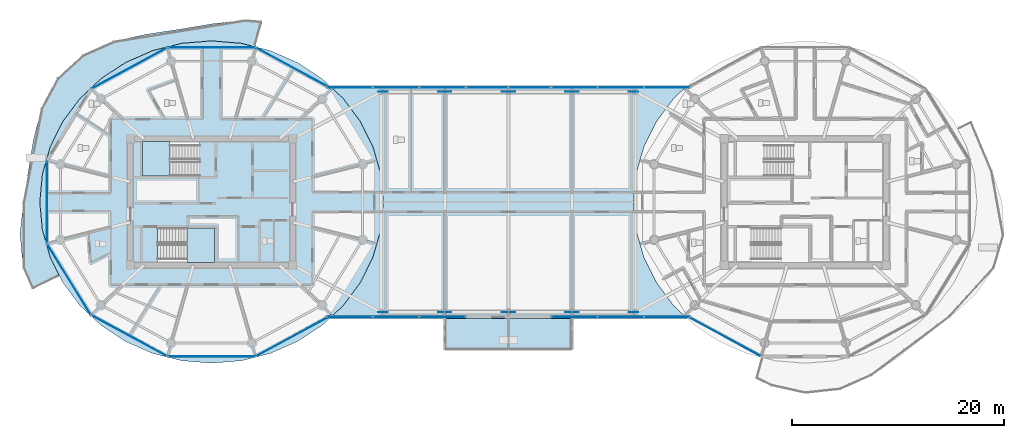
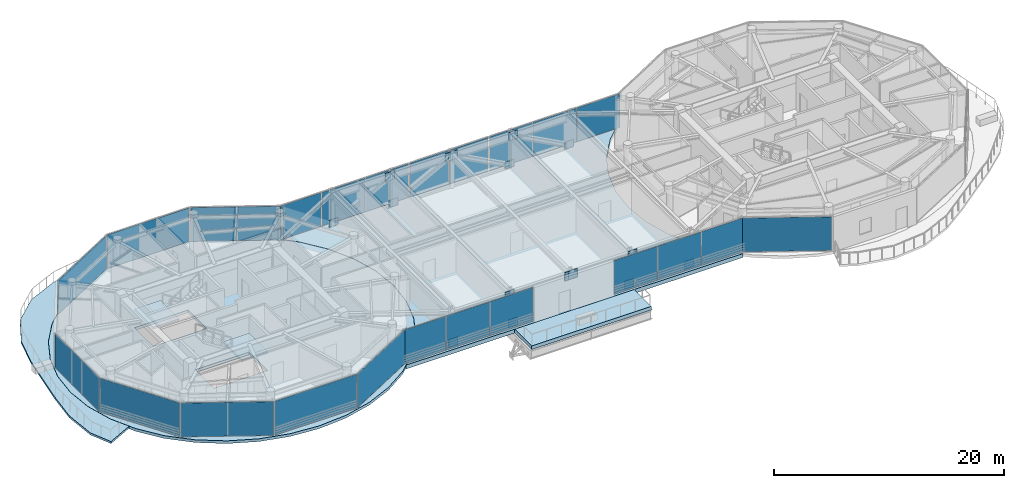
# One storey, part 11 of 31: 39 plates, 6 slabs, 16 elements without a shape of their own.
"""IFC4 building model written with IfcOpenShell, lengths in metres."""

import ifcopenshell
import ifcopenshell.guid

model = None  # the IFC model being written
_history = None  # IfcOwnerHistory: only IFC2X3 demands one
_inside = {}  # id of a spatial element -> (the spatial element, [elements in it])
_under = {}  # id of a project, library or spatial element -> (it, [spatial elements below it])
_declared = {}  # id of a project -> (the project, [libraries it declares])
_typed = {}  # id of a type object -> (the type object, [elements of that type])
_made_of = {}  # id of a material, layer set ... -> (it, [elements and type objects made of it])


def new_model(schema):
    """Start an empty IFC model of exactly this schema.

    Asked for "IFC4X3", IfcOpenShell would pick the latest addendum, in which some entities
    have other attributes; the version numbers below select the first issue.
    IFC2X3 requires an IfcOwnerHistory on every rooted entity: one is made here for all.
    """
    global model, _history
    if schema == "IFC4X3":
        model = ifcopenshell.file(schema_version=(4, 3, 0, 0))
    else:
        model = ifcopenshell.file(schema=schema)
    _inside.clear()
    _under.clear()
    _declared.clear()
    _typed.clear()
    _made_of.clear()
    _history = None
    if model.schema == "IFC2X3":
        org = make("IfcOrganization", Name="unknown")
        user = make(
            "IfcPersonAndOrganization",
            ThePerson=make("IfcPerson", FamilyName="unknown"),
            TheOrganization=org,
        )
        app = make(
            "IfcApplication",
            ApplicationDeveloper=org,
            Version="unknown",
            ApplicationFullName="unknown",
            ApplicationIdentifier="unknown",
        )
        _history = make(
            "IfcOwnerHistory",
            OwningUser=user,
            OwningApplication=app,
            ChangeAction="ADDED",
            CreationDate=0,
        )
    return model


def make(cls, **values):
    """One entity of the class cls with the attributes given. An attribute that is None is left unset."""
    return model.create_entity(
        cls, **{name: value for name, value in values.items() if value is not None}
    )


def rooted(cls, **values):
    """An entity with a GlobalId (a new one), such as an element, a storey or a relation."""
    return make(cls, GlobalId=ifcopenshell.guid.new(), OwnerHistory=_history, **values)


def si_unit(unit_type, name, prefix=None):
    """IfcSIUnit, for example si_unit("LENGTHUNIT", "METRE", prefix="MILLI")."""
    return make("IfcSIUnit", UnitType=unit_type, Prefix=prefix, Name=name)


def assignment(units):
    """IfcUnitAssignment: the units of a project."""
    return None if units is None else make("IfcUnitAssignment", Units=units)


def point(xyz):
    """IfcCartesianPoint."""
    return None if xyz is None else make("IfcCartesianPoint", Coordinates=xyz)


def direction(xyz):
    """IfcDirection."""
    return None if xyz is None else make("IfcDirection", DirectionRatios=xyz)


def frame(location, z_axis=None, x_axis=None):
    """IfcAxis2Placement3D, a coordinate frame: its origin and axes. An axis left out is left unset."""
    return make(
        "IfcAxis2Placement3D",
        Location=point(location),
        Axis=direction(z_axis),
        RefDirection=direction(x_axis),
    )


def frame_2d(location, x_axis=None):
    """IfcAxis2Placement2D, a coordinate frame in the plane: its origin and x axis."""
    return make(
        "IfcAxis2Placement2D", Location=point(location), RefDirection=direction(x_axis)
    )


def origin():
    """The frame at (0, 0, 0) with its axes left unset."""
    return frame((0.0, 0.0, 0.0))


def origin_2d():
    """The frame at (0, 0) in the plane with its x axis left unset."""
    return frame_2d((0.0, 0.0))


def place(relative_to, where):
    """IfcLocalPlacement: puts the frame where relative to a parent placement (None: the world)."""
    return make(
        "IfcLocalPlacement", PlacementRelTo=relative_to, RelativePlacement=where
    )


def context(
    kind, dimensions, precision=None, world=None, true_north=None, identifier=None
):
    """IfcGeometricRepresentationContext, for example the 3D "Model" context."""
    return make(
        "IfcGeometricRepresentationContext",
        ContextIdentifier=identifier,
        ContextType=kind,
        CoordinateSpaceDimension=dimensions,
        Precision=precision,
        WorldCoordinateSystem=world,
        TrueNorth=true_north,
    )


def subcontext(parent, identifier, kind, view, scale=None):
    """IfcGeometricRepresentationSubContext, for example "Body" below "Model"."""
    return make(
        "IfcGeometricRepresentationSubContext",
        ContextIdentifier=identifier,
        ContextType=kind,
        ParentContext=parent,
        TargetScale=scale,
        TargetView=view,
    )


def project(units=None, contexts=None):
    """IfcProject with its units and contexts."""
    return rooted(
        "IfcProject",
        Name="project",
        RepresentationContexts=contexts,
        UnitsInContext=assignment(units),
    )


def spatial(cls, under=None, at=None, **own):
    """A site, building, storey or space (cls), placed at a placement, below another one or the project."""
    s = rooted(cls, ObjectPlacement=at, **own)
    if under is not None:
        _under.setdefault(under.id(), (under, []))[1].append(s)
    return s


def polyline(points):
    """IfcPolyline through the points."""
    return make("IfcPolyline", Points=[point(p) for p in points])


def profile(cls, at=None, kind="AREA", **sizes):
    """A parametric profile (cls). Its sizes go by their IFC names, for example OverallWidth=200.0."""
    return make(cls, ProfileType=kind, Position=at, **sizes)


def rectangle(**sizes):
    """IfcRectangleProfileDef."""
    return profile("IfcRectangleProfileDef", **sizes)


def outline(outer, holes=None, kind="AREA"):
    """IfcArbitraryClosedProfileDef: a profile drawn as a closed curve; with holes, ...WithVoids."""
    if holes is None:
        return make("IfcArbitraryClosedProfileDef", ProfileType=kind, OuterCurve=outer)
    return make(
        "IfcArbitraryProfileDefWithVoids",
        ProfileType=kind,
        OuterCurve=outer,
        InnerCurves=holes,
    )


def extrude(swept, where, along, depth):
    """IfcExtrudedAreaSolid: the profile swept, set in the frame where, extruded along a direction by depth."""
    return make(
        "IfcExtrudedAreaSolid",
        SweptArea=swept,
        Position=where,
        ExtrudedDirection=direction(along),
        Depth=depth,
    )


def shape(context_of_items, identifier, shape_type, items):
    """IfcShapeRepresentation: the items that make up one representation, for example the "Body"."""
    return make(
        "IfcShapeRepresentation",
        ContextOfItems=context_of_items,
        RepresentationIdentifier=identifier,
        RepresentationType=shape_type,
        Items=items,
    )


def source(mapping_origin, context_of_items, identifier, shape_type, items):
    """IfcRepresentationMap: a shape defined once, which mapped items show again and again."""
    return make(
        "IfcRepresentationMap",
        MappingOrigin=mapping_origin,
        MappedRepresentation=shape(context_of_items, identifier, shape_type, items),
    )


def transform(
    local_origin,
    x_axis=None,
    y_axis=None,
    z_axis=None,
    scale=None,
    scale2=None,
    scale3=None,
    uniform=True,
):
    """IfcCartesianTransformationOperator3D, or its non-uniform kind. x_axis, y_axis, z_axis: its Axis1, 2, 3."""
    if uniform:
        return make(
            "IfcCartesianTransformationOperator3D",
            Axis1=direction(x_axis),
            Axis2=direction(y_axis),
            LocalOrigin=point(local_origin),
            Scale=scale,
            Axis3=direction(z_axis),
        )
    return make(
        "IfcCartesianTransformationOperator3DnonUniform",
        Axis1=direction(x_axis),
        Axis2=direction(y_axis),
        LocalOrigin=point(local_origin),
        Scale=scale,
        Axis3=direction(z_axis),
        Scale2=scale2,
        Scale3=scale3,
    )


def mapped(mapping_source, mapping_target):
    """IfcMappedItem: shows the shape of a source again, moved by a transform."""
    return make(
        "IfcMappedItem", MappingSource=mapping_source, MappingTarget=mapping_target
    )


def material(Name=None, Category=None):
    """IfcMaterial."""
    return make("IfcMaterial", Name=Name, Category=Category)


def layer(
    of_material, thickness, ventilated=None, Name=None, Category=None, Priority=None
):
    """IfcMaterialLayer: one layer of a wall or slab, of a material (None: an air gap)."""
    return make(
        "IfcMaterialLayer",
        Material=of_material,
        LayerThickness=thickness,
        IsVentilated=ventilated,
        Name=Name,
        Category=Category,
        Priority=Priority,
    )


def layer_set(layers, Name=None):
    """IfcMaterialLayerSet."""
    return make("IfcMaterialLayerSet", MaterialLayers=layers, LayerSetName=Name)


def made_of(thing, what):
    """Note that an element or type object is made of a material, layer set ...; save() writes the relation."""
    if what is not None:
        _made_of.setdefault(what.id(), (what, []))[1].append(thing)
    return thing


def type_object(cls, material=None, **own):
    """A type object (cls), such as IfcWallType, which elements share."""
    return made_of(rooted(cls, **own), material)


def type_shapes(of_type, sources):
    """Give a type object the sources (RepresentationMaps) that its elements show as mapped items."""
    of_type.RepresentationMaps = sources


def element(
    cls,
    number,
    at=None,
    inside=None,
    cuts=None,
    type_object=None,
    material=None,
    context=None,
    identifier="Body",
    shape_type=None,
    held_by="IfcProductDefinitionShape",
    body=None,
    shapes=None,
    **own,
):
    """One element of the class cls, such as IfcWall. Its Tag is "e" and its number.

    at: its placement. inside: the storey or other place that contains it. cuts: it is an
    opening in that element (IfcRelVoidsElement). A single representation is given by context,
    identifier, shape_type and body (its items); several are given by shapes. held_by: the class
    of the entity that holds the representations. save() writes the other relations.
    """
    e = rooted(cls, Tag="e%d" % number, ObjectPlacement=at, **own)
    if body is not None:
        shapes = [shape(context, identifier, shape_type, body)]
    if shapes is not None:
        e.Representation = make(held_by, Representations=shapes)
    if inside is not None:
        _inside.setdefault(inside.id(), (inside, []))[1].append(e)
    if cuts is not None:
        rooted(
            "IfcRelVoidsElement", RelatingBuildingElement=cuts, RelatedOpeningElement=e
        )
    if type_object is not None:
        _typed.setdefault(type_object.id(), (type_object, []))[1].append(e)
    return made_of(e, material)


def aggregate(whole, parts):
    """IfcRelAggregates: a whole, such as a stair, and the parts it consists of."""
    return rooted("IfcRelAggregates", RelatingObject=whole, RelatedObjects=parts)


def save(model, path):
    """Write the relations noted so far, then the file.

    IfcRelAggregates (storeys below a building ...), IfcRelContainedInSpatialStructure (elements
    in a storey), IfcRelDefinesByType, IfcRelAssociatesMaterial and IfcRelDeclares: one each for
    every whole, place, type object, material and project.
    """
    for whole, parts in _under.values():
        aggregate(whole, parts)
    for where, things in _inside.values():
        rooted(
            "IfcRelContainedInSpatialStructure",
            RelatedElements=things,
            RelatingStructure=where,
        )
    for kind, things in _typed.values():
        rooted("IfcRelDefinesByType", RelatedObjects=things, RelatingType=kind)
    for what, things in _made_of.values():
        rooted("IfcRelAssociatesMaterial", RelatedObjects=things, RelatingMaterial=what)
    for by, libraries in _declared.values():
        rooted("IfcRelDeclares", RelatingContext=by, RelatedDefinitions=libraries)
    model.write(path)


model = new_model("IFC4")

# Units and contexts
model_context = context("Model", 3, precision=1e-05, world=origin(), true_north=direction((0.0, 1.0)))
body_context = subcontext(model_context, "Body", "Model", "MODEL_VIEW")
ifc_project = project(units=[si_unit("LENGTHUNIT", "METRE"), si_unit("AREAUNIT", "SQUARE_METRE"), si_unit("VOLUMEUNIT", "CUBIC_METRE"), si_unit("PLANEANGLEUNIT", "RADIAN"), si_unit("MASSUNIT", "GRAM", prefix="KILO")], contexts=[model_context])

# Site, building, storey
site_placement = place(None, origin())
site = spatial("IfcSite", under=ifc_project, at=site_placement, CompositionType="ELEMENT")
building_placement = place(site_placement, origin())
building = spatial("IfcBuilding", under=site, at=building_placement, Name="Norrkilde Senior Care Towers", CompositionType="ELEMENT")
storey_placement = place(building_placement, frame((0.0, 0.0, 199.800048828125)))
storey = spatial("IfcBuildingStorey", under=building, at=storey_placement, Name="L62", CompositionType="ELEMENT", Elevation=199.800048828125)

# Slabs
ifc_material_1 = material(Name="Concrete C50/60", Category="concrete")
ifc_layer_1 = layer(ifc_material_1, 0.2900390625)
ifc_layer_set_1 = layer_set([ifc_layer_1], Name="Concrete C50/60")
slab_type_1 = type_object("IfcSlabType", Name="Bridge Floor Slab 290", PredefinedType="FLOOR", material=ifc_layer_set_1)
slab_1_placement = place(storey_placement, frame((0.0, 0.0, -0.2900390625)))
element("IfcSlab", 1, at=slab_1_placement, inside=storey, type_object=slab_type_1, Name="L62 Drum W Structural Floor Slab", PredefinedType="FLOOR", context=body_context, shape_type="SweptSolid", body=[
    extrude(outline(polyline([(-12.777099609375, -5.19873046875), (-13.970458984375, -7.60009765625), (-15.590087890625, -9.770263671875), (-17.5869140625, -11.643798828125), (-19.89990234375, -13.16357421875), (-22.459228515625, -14.283447265625), (-25.18701171875, -14.968994140625), (-28.0, -15.199951171875), (-30.81298828125, -14.968994140625), (-33.540771484375, -14.283447265625), (-36.10009765625, -13.16357421875), (-38.4130859375, -11.643798828125), (-40.409912109375, -9.770263671875), (-42.029541015625, -7.60009765625), (-43.222900390625, -5.19873046875), (-43.953857421875, -2.639404296875), (-44.199951171875, 0.0), (-43.953857421875, 2.639404296875), (-43.222900390625, 5.19873046875), (-42.029541015625, 7.60009765625), (-40.409912109375, 9.770263671875), (-38.4130859375, 11.643798828125), (-36.10009765625, 13.16357421875), (-33.540771484375, 14.283447265625), (-30.81298828125, 14.968994140625), (-28.0, 15.199951171875), (-25.18701171875, 14.968994140625), (-22.459228515625, 14.283447265625), (-19.89990234375, 13.16357421875), (-17.5869140625, 11.643798828125), (-15.590087890625, 9.770263671875), (-13.970458984375, 7.60009765625), (-12.777099609375, 5.19873046875), (-12.046142578125, 2.639404296875), (-11.800048828125, 0.0), (-12.046142578125, -2.639404296875), (-12.777099609375, -5.19873046875)]), holes=[polyline([(-34.48193359375, 2.468017578125), (-29.117919921875, 2.468017578125), (-29.117919921875, 5.68994140625), (-34.48193359375, 5.68994140625), (-34.48193359375, 2.468017578125)]), polyline([(-27.718017578125, -5.68994140625), (-27.718017578125, -2.468017578125), (-33.08203125, -2.468017578125), (-33.08203125, -5.68994140625), (-27.718017578125, -5.68994140625)])]), origin(), (0.0, 0.0, 1.0), 0.2900390625),
])
ifc_layer_2 = layer(ifc_material_1, 0.215087890625)
ifc_layer_set_2 = layer_set([ifc_layer_2], Name="Concrete C50/60")
slab_type_2 = type_object("IfcSlabType", Name="Sinusoidal Balcony Ribbon Slab 215", PredefinedType="FLOOR", material=ifc_layer_set_2)
slab_2_placement = place(storey_placement, frame((0.0, 0.0, -0.215087890625)))
element("IfcSlab", 2, at=slab_2_placement, inside=storey, type_object=slab_type_2, Name="L62 Drum W Swirling Senior Balcony 1", PredefinedType="FLOOR", context=body_context, shape_type="SweptSolid", body=[
    extrude(outline(polyline([(-45.7490234375, 0.0), (-45.2880859375, 2.89013671875), (-44.8212890625, 5.818603515625), (-44.04345703125, 8.839111328125), (-42.529541015625, 11.666015625), (-40.15087890625, 13.85107421875), (-37.18896484375, 15.173828125), (-34.0732421875, 15.8427734375), (-31.033447265625, 16.301513671875), (-28.0, 16.806396484375), (-24.822509765625, 17.171875), (-23.217041015625, 17.046142578125), (-23.889892578125, 14.648193359375), (-25.18603515625, 14.97412109375), (-28.0, 15.205078125), (-30.81396484375, 14.97412109375), (-33.54248046875, 14.2880859375), (-36.1025390625, 13.16796875), (-38.416259765625, 11.647705078125), (-40.413818359375, 9.773681640625), (-42.033935546875, 7.6025390625), (-43.227783203125, 5.200439453125), (-43.958740234375, 2.640380859375), (-44.205078125, 0.0), (-43.958740234375, -2.640380859375), (-43.227783203125, -5.200439453125), (-42.34375, -6.979248046875), (-44.880615234375, -8.213623046875), (-45.7734375, -6.18798828125), (-46.06884765625, -3.036865234375), (-45.7490234375, 0.0)])), origin(), (0.0, 0.0, 1.0), 0.215087890625),
])
ifc_layer_3 = layer(ifc_material_1, 0.3798828125)
ifc_layer_set_3 = layer_set([ifc_layer_3], Name="Concrete C50/60")
slab_type_3 = type_object("IfcSlabType", Name="Sky Pool Basin Slab 380", PredefinedType="FLOOR", material=ifc_layer_set_3)
slab_3_placement = place(storey_placement, frame((0.0, 0.0, -0.380126953125)))
element("IfcSlab", 3, at=slab_3_placement, inside=storey, type_object=slab_type_3, Name="L62 Cantilevered Hydrotherapy Sky Pool Deck", PredefinedType="FLOOR", context=body_context, shape_type="SweptSolid", body=[
    extrude(outline(polyline([(-6.0, -13.949951171875), (6.0, -13.949951171875), (6.0, -11.0), (-6.0, -11.0), (-6.0, -13.949951171875)])), origin(), (0.0, 0.0, 1.0), 0.380126953125),
])

# Stair, slab
ifc_material_2 = material(Name="Concrete C45/55", Category="concrete")
stair_type = type_object("IfcStairType", Name="Core Protected Dogleg Stair Bridge 4000", PredefinedType="HALF_TURN_STAIR", material=ifc_material_2)
stair_1_placement = place(storey_placement, origin())
stair_1 = element("IfcStair", 4, at=stair_1_placement, inside=storey, type_object=stair_type, Name="L62 Protected Core Stair W1", PredefinedType="HALF_TURN_STAIR")
ifc_layer_4 = layer(ifc_material_2, 0.199951171875)
ifc_layer_set_4 = layer_set([ifc_layer_4], Name="Concrete C45/55")
slab_type_4 = type_object("IfcSlabType", Name="Stair Landing Slab 200", PredefinedType="LANDING", material=ifc_layer_set_4)
slab_4_placement = place(storey_placement, frame((0.0, 0.0, 1.800048828125)))
slab_4 = element("IfcSlab", 5, at=slab_4_placement, type_object=slab_type_4, Name="ST-W1 landing 1", PredefinedType="LANDING", context=body_context, shape_type="SweptSolid", body=[
    extrude(outline(polyline([(-31.89990234375, 5.68994140625), (-34.5, 5.68994140625), (-34.5, 2.449951171875), (-31.89990234375, 2.449951171875), (-31.89990234375, 5.68994140625)])), origin(), (0.0, 0.0, 1.0), 0.199951171875),
])
aggregate(stair_1, [slab_4])

stair_2_placement = place(storey_placement, origin())
stair_2 = element("IfcStair", 6, at=stair_2_placement, inside=storey, type_object=stair_type, Name="L62 Protected Core Stair W2", PredefinedType="HALF_TURN_STAIR")
slab_5_placement = place(storey_placement, frame((0.0, 0.0, 1.800048828125)))
slab_5 = element("IfcSlab", 7, at=slab_5_placement, type_object=slab_type_4, Name="ST-W2 landing 1", PredefinedType="LANDING", context=body_context, shape_type="SweptSolid", body=[
    extrude(outline(polyline([(-30.300048828125, -5.68994140625), (-27.699951171875, -5.68994140625), (-27.699951171875, -2.449951171875), (-30.300048828125, -2.449951171875), (-30.300048828125, -5.68994140625)])), origin(), (0.0, 0.0, 1.0), 0.199951171875),
])
aggregate(stair_2, [slab_5])

# Slab
ifc_material_3 = material(Name="Concrete C60/75", Category="concrete")
ifc_layer_5 = layer(ifc_material_3, 0.419921875)
ifc_layer_set_5 = layer_set([ifc_layer_5], Name="Concrete C60/75")
slab_type_5 = type_object("IfcSlabType", Name="Transfer Deck Slab 420", PredefinedType="FLOOR", material=ifc_layer_set_5)
slab_6_placement = place(storey_placement, frame((0.0, 0.0, -0.420166015625)))
element("IfcSlab", 8, at=slab_6_placement, inside=storey, type_object=slab_type_5, Name="L62 Sky-Gate Bridge Transfer Slab", PredefinedType="FLOOR", context=body_context, shape_type="SweptSolid", body=[
    extrude(outline(polyline([(16.893310546875, 11.0), (15.586669921875, 9.77392578125), (15.58642578125, 9.773681640625), (15.586181640625, 9.7734375), (13.96630859375, 7.60302734375), (13.966064453125, 7.6025390625), (13.9658203125, 7.602294921875), (12.7724609375, 5.200927734375), (12.772216796875, 5.200439453125), (12.772216796875, 5.2001953125), (12.041259765625, 2.640869140625), (12.041259765625, 2.640380859375), (12.041015625, 2.639892578125), (11.794921875, 0.00048828125), (11.794921875, 0.0), (11.794921875, -0.00048828125), (12.041015625, -2.639892578125), (12.041259765625, -2.640380859375), (12.041259765625, -2.640869140625), (12.772216796875, -5.2001953125), (12.772216796875, -5.200439453125), (12.7724609375, -5.200927734375), (13.9658203125, -7.602294921875), (13.966064453125, -7.6025390625), (13.96630859375, -7.60302734375), (15.586181640625, -9.7734375), (15.58642578125, -9.773681640625), (15.586669921875, -9.77392578125), (16.893310546875, -11.0), (-16.893310546875, -11.0), (-15.586669921875, -9.77392578125), (-15.58642578125, -9.773681640625), (-15.586181640625, -9.7734375), (-13.96630859375, -7.60302734375), (-13.966064453125, -7.6025390625), (-13.9658203125, -7.602294921875), (-12.7724609375, -5.200927734375), (-12.772216796875, -5.200439453125), (-12.772216796875, -5.2001953125), (-12.041259765625, -2.640869140625), (-12.041259765625, -2.640380859375), (-12.041015625, -2.639892578125), (-11.794921875, -0.00048828125), (-11.794921875, 0.0), (-11.794921875, 0.00048828125), (-12.041015625, 2.639892578125), (-12.041259765625, 2.640380859375), (-12.041259765625, 2.640869140625), (-12.772216796875, 5.2001953125), (-12.772216796875, 5.200439453125), (-12.7724609375, 5.200927734375), (-13.9658203125, 7.602294921875), (-13.966064453125, 7.6025390625), (-13.96630859375, 7.60302734375), (-15.586181640625, 9.7734375), (-15.58642578125, 9.773681640625), (-15.586669921875, 9.77392578125), (-16.893310546875, 11.0), (16.893310546875, 11.0)])), origin(), (0.0, 0.0, 1.0), 0.420166015625),
])

# Plates
ifc_material_4 = material(Name="Steel S355", Category="steel")
ifc_layer_6 = layer(ifc_material_4, 0.034912109375)
ifc_layer_set_6 = layer_set([ifc_layer_6], Name="Steel S355")
plate_type_1 = type_object("IfcPlateType", Name="Truss Node Gusset Plate 35", PredefinedType="USERDEFINED", material=ifc_layer_set_6)
shared_shape_1 = source(origin(), body_context, "Body", "SweptSolid", [
    extrude(rectangle(XDim=0.89990234375, YDim=0.034912109375, at=origin_2d()), origin(), (0.0, 0.0, 1.0), 0.89990234375),
])
type_shapes(plate_type_1, [shared_shape_1])
for number, where, z_axis, x_axis, name in (
    (9, (-11.820068359375, -10.39990234375, -0.14990234375), (0.0, 0.0, 1.0), (1.0, 0.0, 0.0), "L62 Pratt Truss Node Assembly ND-B2 Lower Gusset Plate"),
    (10, (-6.179931640625, -10.39990234375, 2.860107421875), (0.0, 0.0, 1.0), (1.0, 0.0, 0.0), "L62 Pratt Truss Node Assembly ND-B2 Upper Gusset Plate"),
    (11, (-5.820068359375, -10.39990234375, -0.14990234375), (0.0, 0.0, 1.0), (1.0, 0.0, 0.0), "L62 Pratt Truss Node Assembly ND-B3 Lower Gusset Plate"),
    (12, (-0.179931640625, -10.39990234375, 2.860107421875), (0.0, 0.0, 1.0), (1.0, 0.0, 0.0), "L62 Pratt Truss Node Assembly ND-B3 Upper Gusset Plate"),
    (13, (5.820068359375, -10.39990234375, -0.14990234375), (0.0, 0.0, 1.0), (1.0, 0.0, 0.0), "L62 Pratt Truss Node Assembly ND-B4 Lower Gusset Plate"),
    (14, (0.179931640625, -10.39990234375, 2.860107421875), (0.0, 0.0, 1.0), (1.0, 0.0, 0.0), "L62 Pratt Truss Node Assembly ND-B4 Upper Gusset Plate"),
    (15, (11.820068359375, -10.39990234375, -0.14990234375), (0.0, 0.0, 1.0), (1.0, 0.0, 0.0), "L62 Pratt Truss Node Assembly ND-B5 Lower Gusset Plate"),
    (16, (6.179931640625, -10.39990234375, 2.860107421875), (0.0, 0.0, 1.0), (1.0, 0.0, 0.0), "L62 Pratt Truss Node Assembly ND-B5 Upper Gusset Plate"),
    (17, (-11.820068359375, 10.39990234375, -0.14990234375), (0.0, 0.0, 1.0), (1.0, 0.0, 0.0), "L62 Pratt Truss Node Assembly ND-B2 Lower Gusset Plate"),
    (18, (-6.179931640625, 10.39990234375, 2.860107421875), (0.0, 0.0, 1.0), (1.0, 0.0, 0.0), "L62 Pratt Truss Node Assembly ND-B2 Upper Gusset Plate"),
    (19, (-5.820068359375, 10.39990234375, -0.14990234375), (0.0, 0.0, 1.0), (1.0, 0.0, 0.0), "L62 Pratt Truss Node Assembly ND-B3 Lower Gusset Plate"),
    (20, (-0.179931640625, 10.39990234375, 2.860107421875), (0.0, 0.0, 1.0), (1.0, 0.0, 0.0), "L62 Pratt Truss Node Assembly ND-B3 Upper Gusset Plate"),
    (21, (5.820068359375, 10.39990234375, -0.14990234375), (0.0, 0.0, 1.0), (1.0, 0.0, 0.0), "L62 Pratt Truss Node Assembly ND-B4 Lower Gusset Plate"),
    (22, (0.179931640625, 10.39990234375, 2.860107421875), (0.0, 0.0, 1.0), (1.0, 0.0, 0.0), "L62 Pratt Truss Node Assembly ND-B4 Upper Gusset Plate"),
    (23, (11.820068359375, 10.39990234375, -0.14990234375), (0.0, 0.0, 1.0), (1.0, 0.0, 0.0), "L62 Pratt Truss Node Assembly ND-B5 Lower Gusset Plate"),
    (24, (6.179931640625, 10.39990234375, 2.860107421875), (0.0, 0.0, 1.0), (1.0, 0.0, 0.0), "L62 Pratt Truss Node Assembly ND-B5 Upper Gusset Plate"),
):
    element("IfcPlate", number, at=place(storey_placement, frame(where, z_axis=z_axis, x_axis=x_axis)), inside=storey, type_object=plate_type_1, Name=name, ObjectType="GUSSET_PLATE", PredefinedType="USERDEFINED", context=body_context, shape_type="MappedRepresentation", body=[
        mapped(shared_shape_1, transform((0.0, 0.0, 0.0), x_axis=(1.0, 0.0, 0.0), y_axis=(0.0, 1.0, 0.0), z_axis=(0.0, 0.0, 1.0), scale=1.0)),
    ])

# Curtain wall, plate
ifc_material_5 = material(Name="Triple Low-E Insulated Glazing", Category="glass")
ifc_layer_7 = layer(ifc_material_5, 0.18505859375)
ifc_layer_set_7 = layer_set([ifc_layer_7], Name="Triple Low-E Insulated Glazing")
curtain_wall_type_1 = type_object("IfcCurtainWallType", Name="CW6 Zone 4 Crown Pavilion Curtain Wall", PredefinedType="NOTDEFINED", material=ifc_layer_set_7)
curtain_wall_1_placement = place(storey_placement, origin())
curtain_wall_1 = element("IfcCurtainWall", 25, at=curtain_wall_1_placement, inside=storey, type_object=curtain_wall_type_1, Name="L62 Drum W Curtain Wall 01", PredefinedType="NOTDEFINED")
ifc_layer_8 = layer(ifc_material_5, 0.035888671875)
ifc_layer_set_8 = layer_set([ifc_layer_8], Name="Triple Low-E Insulated Glazing")
plate_type_2 = type_object("IfcPlateType", Name="Triple Low-E Vision Curtain Panel 36", PredefinedType="CURTAIN_PANEL", material=ifc_layer_set_8)
shared_shape_2 = source(origin(), body_context, "Body", "SweptSolid", [
    extrude(rectangle(XDim=8.0673828125, YDim=0.035888671875, at=origin_2d()), origin(), (0.0, 0.0, 1.0), 3.590087890625),
])
plate_1_placement = place(storey_placement, frame((-20.23388671875, 12.61474609375, 0.06005859375), z_axis=(0.0, 0.0, 1.0), x_axis=(0.879373455772, -0.476132676136, 0.0)))
plate_1 = element("IfcPlate", 26, at=plate_1_placement, type_object=plate_type_2, Name="CW-6 panel 1.1", PredefinedType="CURTAIN_PANEL", context=body_context, shape_type="MappedRepresentation", body=[
    mapped(shared_shape_2, transform((0.0, 0.0, 0.0), x_axis=(1.0, 0.0, 0.0), y_axis=(0.0, 1.0, 0.0), z_axis=(0.0, 0.0, 1.0), scale=1.0)),
])
aggregate(curtain_wall_1, [plate_1])

curtain_wall_2_placement = place(storey_placement, origin())
curtain_wall_2 = element("IfcCurtainWall", 27, at=curtain_wall_2_placement, inside=storey, type_object=curtain_wall_type_1, Name="L62 Drum W Curtain Wall 03", PredefinedType="NOTDEFINED")
plate_2_placement = place(storey_placement, frame((-35.76611328125, 12.61474609375, 0.06005859375), z_axis=(0.0, 0.0, 1.0), x_axis=(0.879373455772, 0.476132676136, 0.0)))
plate_2 = element("IfcPlate", 28, at=plate_2_placement, type_object=plate_type_2, Name="CW-6 panel 1.1", PredefinedType="CURTAIN_PANEL", context=body_context, shape_type="MappedRepresentation", body=[
    mapped(shared_shape_2, transform((0.0, 0.0, 0.0), x_axis=(1.0, 0.0, 0.0), y_axis=(0.0, 1.0, 0.0), z_axis=(0.0, 0.0, 1.0), scale=1.0)),
])
aggregate(curtain_wall_2, [plate_2])

curtain_wall_3_placement = place(storey_placement, origin())
curtain_wall_3 = element("IfcCurtainWall", 29, at=curtain_wall_3_placement, inside=storey, type_object=curtain_wall_type_1, Name="L62 Drum W Curtain Wall 07", PredefinedType="NOTDEFINED")
plate_3_placement = place(storey_placement, frame((-35.76611328125, -12.61474609375, 0.06005859375), z_axis=(0.0, 0.0, 1.0), x_axis=(-0.879373455772, 0.476132676136, 0.0)))
plate_3 = element("IfcPlate", 30, at=plate_3_placement, type_object=plate_type_2, Name="CW-6 panel 1.1", PredefinedType="CURTAIN_PANEL", context=body_context, shape_type="MappedRepresentation", body=[
    mapped(shared_shape_2, transform((0.0, 0.0, 0.0), x_axis=(1.0, 0.0, 0.0), y_axis=(0.0, 1.0, 0.0), z_axis=(0.0, 0.0, 1.0), scale=1.0)),
])
aggregate(curtain_wall_3, [plate_3])

curtain_wall_4_placement = place(storey_placement, origin())
curtain_wall_4 = element("IfcCurtainWall", 31, at=curtain_wall_4_placement, inside=storey, type_object=curtain_wall_type_1, Name="L62 Drum W Curtain Wall 09", PredefinedType="NOTDEFINED")
plate_4_placement = place(storey_placement, frame((-20.23388671875, -12.61474609375, 0.06005859375), z_axis=(0.0, 0.0, 1.0), x_axis=(-0.879373455772, -0.476132676136, 0.0)))
plate_4 = element("IfcPlate", 32, at=plate_4_placement, type_object=plate_type_2, Name="CW-6 panel 1.1", PredefinedType="CURTAIN_PANEL", context=body_context, shape_type="MappedRepresentation", body=[
    mapped(shared_shape_2, transform((0.0, 0.0, 0.0), x_axis=(1.0, 0.0, 0.0), y_axis=(0.0, 1.0, 0.0), z_axis=(0.0, 0.0, 1.0), scale=1.0)),
])
aggregate(curtain_wall_4, [plate_4])

curtain_wall_5_placement = place(storey_placement, origin())
curtain_wall_5 = element("IfcCurtainWall", 33, at=curtain_wall_5_placement, inside=storey, type_object=curtain_wall_type_1, Name="L62 Drum E Curtain Wall 07", PredefinedType="NOTDEFINED")
plate_5_placement = place(storey_placement, frame((20.23388671875, -12.61474609375, 0.06005859375), z_axis=(0.0, 0.0, 1.0), x_axis=(-0.879373455772, 0.476132676136, 0.0)))
plate_5 = element("IfcPlate", 34, at=plate_5_placement, type_object=plate_type_2, Name="CW-6 panel 1.1", PredefinedType="CURTAIN_PANEL", context=body_context, shape_type="MappedRepresentation", body=[
    mapped(shared_shape_2, transform((0.0, 0.0, 0.0), x_axis=(1.0, 0.0, 0.0), y_axis=(0.0, 1.0, 0.0), z_axis=(0.0, 0.0, 1.0), scale=1.0)),
])
aggregate(curtain_wall_5, [plate_5])

curtain_wall_6_placement = place(storey_placement, origin())
curtain_wall_6 = element("IfcCurtainWall", 35, at=curtain_wall_6_placement, inside=storey, type_object=curtain_wall_type_1, Name="L62 Drum W Curtain Wall 02", PredefinedType="NOTDEFINED")
shared_shape_3 = source(origin(), body_context, "Body", "SweptSolid", [
    extrude(rectangle(XDim=8.193603515625, YDim=0.035888671875, at=origin_2d()), origin(), (0.0, 0.0, 1.0), 3.590087890625),
])
plate_6_placement = place(storey_placement, frame((-28.0, 14.566162109375, 0.06005859375), z_axis=(0.0, 0.0, 1.0), x_axis=(1.0, 0.0, 0.0)))
plate_6 = element("IfcPlate", 36, at=plate_6_placement, type_object=plate_type_2, Name="CW-6 panel 1.1", PredefinedType="CURTAIN_PANEL", context=body_context, shape_type="MappedRepresentation", body=[
    mapped(shared_shape_3, transform((0.0, 0.0, 0.0), x_axis=(1.0, 0.0, 0.0), y_axis=(0.0, 1.0, 0.0), z_axis=(0.0, 0.0, 1.0), scale=1.0)),
])
aggregate(curtain_wall_6, [plate_6])

curtain_wall_7_placement = place(storey_placement, origin())
curtain_wall_7 = element("IfcCurtainWall", 37, at=curtain_wall_7_placement, inside=storey, type_object=curtain_wall_type_1, Name="L62 Drum W Curtain Wall 08", PredefinedType="NOTDEFINED")
plate_7_placement = place(storey_placement, frame((-28.0, -14.566162109375, 0.06005859375), z_axis=(0.0, 0.0, 1.0), x_axis=(-1.0, 0.0, 0.0)))
plate_7 = element("IfcPlate", 38, at=plate_7_placement, type_object=plate_type_2, Name="CW-6 panel 1.1", PredefinedType="CURTAIN_PANEL", context=body_context, shape_type="MappedRepresentation", body=[
    mapped(shared_shape_3, transform((0.0, 0.0, 0.0), x_axis=(1.0, 0.0, 0.0), y_axis=(0.0, 1.0, 0.0), z_axis=(0.0, 0.0, 1.0), scale=1.0)),
])
aggregate(curtain_wall_7, [plate_7])

curtain_wall_8_placement = place(storey_placement, origin())
curtain_wall_8 = element("IfcCurtainWall", 39, at=curtain_wall_8_placement, inside=storey, type_object=curtain_wall_type_1, Name="L62 Drum W Curtain Wall 05", PredefinedType="NOTDEFINED")
shared_shape_4 = source(origin(), body_context, "Body", "SweptSolid", [
    extrude(rectangle(XDim=7.676025390625, YDim=0.035888671875, at=origin_2d()), origin(), (0.0, 0.0, 1.0), 3.590087890625),
])
plate_8_placement = place(storey_placement, frame((-43.531982421875, 0.0, 0.06005859375), z_axis=(0.0, 0.0, 1.0), x_axis=(0.0, 1.0, 0.0)))
plate_8 = element("IfcPlate", 40, at=plate_8_placement, type_object=plate_type_2, Name="CW-6 panel 1.1", PredefinedType="CURTAIN_PANEL", context=body_context, shape_type="MappedRepresentation", body=[
    mapped(shared_shape_4, transform((0.0, 0.0, 0.0), x_axis=(1.0, 0.0, 0.0), y_axis=(0.0, 1.0, 0.0), z_axis=(0.0, 0.0, 1.0), scale=1.0)),
])
aggregate(curtain_wall_8, [plate_8])

curtain_wall_9_placement = place(storey_placement, origin())
curtain_wall_9 = element("IfcCurtainWall", 41, at=curtain_wall_9_placement, inside=storey, type_object=curtain_wall_type_1, Name="L62 Drum W Curtain Wall 06", PredefinedType="NOTDEFINED")
shared_shape_5 = source(origin(), body_context, "Body", "SweptSolid", [
    extrude(rectangle(XDim=7.80859375, YDim=0.035888671875, at=origin_2d()), origin(), (0.0, 0.0, 1.0), 3.590087890625),
])
type_shapes(plate_type_2, [shared_shape_2, shared_shape_3, shared_shape_4, shared_shape_5])
plate_9_placement = place(storey_placement, frame((-41.451171875, -7.282958984375, 0.06005859375), z_axis=(0.0, 0.0, 1.0), x_axis=(-0.524252726748, 0.851562727283, 0.0)))
plate_9 = element("IfcPlate", 42, at=plate_9_placement, type_object=plate_type_2, Name="CW-6 panel 1.1", PredefinedType="CURTAIN_PANEL", context=body_context, shape_type="MappedRepresentation", body=[
    mapped(shared_shape_5, transform((0.0, 0.0, 0.0), x_axis=(1.0, 0.0, 0.0), y_axis=(0.0, 1.0, 0.0), z_axis=(0.0, 0.0, 1.0), scale=1.0)),
])
aggregate(curtain_wall_9, [plate_9])

# Curtain wall, plates
ifc_layer_9 = layer(ifc_material_5, 0.2099609375)
ifc_layer_set_9 = layer_set([ifc_layer_9], Name="Triple Low-E Insulated Glazing")
curtain_wall_type_2 = type_object("IfcCurtainWallType", Name="CW5 Sky-Gate Bridge Curtain Wall", PredefinedType="NOTDEFINED", material=ifc_layer_set_9)
curtain_wall_10_placement = place(storey_placement, origin())
curtain_wall_10 = element("IfcCurtainWall", 43, at=curtain_wall_10_placement, inside=storey, type_object=curtain_wall_type_2, Name="L62 Sky-Gate Bridge North Curtain Wall 1", PredefinedType="NOTDEFINED")
ifc_material_6 = material(Name="Architectural Terracotta", Category="masonry")
ifc_layer_10 = layer(ifc_material_6, 0.048095703125)
ifc_layer_set_10 = layer_set([ifc_layer_10], Name="Architectural Terracotta")
plate_type_3 = type_object("IfcPlateType", Name="Insulated Terracotta Spandrel Panel 48", PredefinedType="CURTAIN_PANEL", material=ifc_layer_set_10)
shared_shape_6 = source(origin(), body_context, "Body", "SweptSolid", [
    extrude(rectangle(XDim=4.294921875, YDim=0.048095703125, at=origin_2d()), origin(), (0.0, 0.0, 1.0), 3.580078125),
])
plate_10_placement = place(storey_placement, frame((-14.982421875, 10.820068359375, 0.06494140625), z_axis=(0.0, 0.0, 1.0), x_axis=(1.0, 0.0, 0.0)))
plate_10 = element("IfcPlate", 44, at=plate_10_placement, type_object=plate_type_3, Name="CW-5 panel 1.1", PredefinedType="CURTAIN_PANEL", context=body_context, shape_type="MappedRepresentation", body=[
    mapped(shared_shape_6, transform((0.0, 0.0, 0.0), x_axis=(1.0, 0.0, 0.0), y_axis=(0.0, 1.0, 0.0), z_axis=(0.0, 0.0, 1.0), scale=1.0)),
])
plate_11_placement = place(storey_placement, frame((-6.217529296875, 10.820068359375, 0.06494140625), z_axis=(0.0, 0.0, 1.0), x_axis=(1.0, 0.0, 0.0)))
plate_11 = element("IfcPlate", 45, at=plate_11_placement, type_object=plate_type_3, Name="CW-5 panel 3.1", PredefinedType="CURTAIN_PANEL", context=body_context, shape_type="MappedRepresentation", body=[
    mapped(shared_shape_6, transform((0.0, 0.0, 0.0), x_axis=(1.0, 0.0, 0.0), y_axis=(0.0, 1.0, 0.0), z_axis=(0.0, 0.0, 1.0), scale=1.0)),
])

curtain_wall_11_placement = place(storey_placement, origin())
curtain_wall_11 = element("IfcCurtainWall", 46, at=curtain_wall_11_placement, inside=storey, type_object=curtain_wall_type_2, Name="L62 Sky-Gate Bridge North Curtain Wall 3", PredefinedType="NOTDEFINED")
plate_12_placement = place(storey_placement, frame((6.217529296875, 10.820068359375, 0.06494140625), z_axis=(0.0, 0.0, 1.0), x_axis=(1.0, 0.0, 0.0)))
plate_12 = element("IfcPlate", 47, at=plate_12_placement, type_object=plate_type_3, Name="CW-5 panel 1.1", PredefinedType="CURTAIN_PANEL", context=body_context, shape_type="MappedRepresentation", body=[
    mapped(shared_shape_6, transform((0.0, 0.0, 0.0), x_axis=(1.0, 0.0, 0.0), y_axis=(0.0, 1.0, 0.0), z_axis=(0.0, 0.0, 1.0), scale=1.0)),
])
plate_13_placement = place(storey_placement, frame((14.982421875, 10.820068359375, 0.06494140625), z_axis=(0.0, 0.0, 1.0), x_axis=(1.0, 0.0, 0.0)))
plate_13 = element("IfcPlate", 48, at=plate_13_placement, type_object=plate_type_3, Name="CW-5 panel 3.1", PredefinedType="CURTAIN_PANEL", context=body_context, shape_type="MappedRepresentation", body=[
    mapped(shared_shape_6, transform((0.0, 0.0, 0.0), x_axis=(1.0, 0.0, 0.0), y_axis=(0.0, 1.0, 0.0), z_axis=(0.0, 0.0, 1.0), scale=1.0)),
])

curtain_wall_12_placement = place(storey_placement, origin())
curtain_wall_12 = element("IfcCurtainWall", 49, at=curtain_wall_12_placement, inside=storey, type_object=curtain_wall_type_2, Name="L62 Sky-Gate Bridge South Curtain Wall 1", PredefinedType="NOTDEFINED")
plate_14_placement = place(storey_placement, frame((14.982421875, -10.820068359375, 0.06494140625), z_axis=(0.0, 0.0, 1.0), x_axis=(-1.0, 0.0, 0.0)))
plate_14 = element("IfcPlate", 50, at=plate_14_placement, type_object=plate_type_3, Name="CW-5 panel 1.1", PredefinedType="CURTAIN_PANEL", context=body_context, shape_type="MappedRepresentation", body=[
    mapped(shared_shape_6, transform((0.0, 0.0, 0.0), x_axis=(1.0, 0.0, 0.0), y_axis=(0.0, 1.0, 0.0), z_axis=(0.0, 0.0, 1.0), scale=1.0)),
])
plate_15_placement = place(storey_placement, frame((6.217529296875, -10.820068359375, 0.06494140625), z_axis=(0.0, 0.0, 1.0), x_axis=(-1.0, 0.0, 0.0)))
plate_15 = element("IfcPlate", 51, at=plate_15_placement, type_object=plate_type_3, Name="CW-5 panel 3.1", PredefinedType="CURTAIN_PANEL", context=body_context, shape_type="MappedRepresentation", body=[
    mapped(shared_shape_6, transform((0.0, 0.0, 0.0), x_axis=(1.0, 0.0, 0.0), y_axis=(0.0, 1.0, 0.0), z_axis=(0.0, 0.0, 1.0), scale=1.0)),
])

curtain_wall_13_placement = place(storey_placement, origin())
curtain_wall_13 = element("IfcCurtainWall", 52, at=curtain_wall_13_placement, inside=storey, type_object=curtain_wall_type_2, Name="L62 Sky-Gate Bridge South Curtain Wall 3", PredefinedType="NOTDEFINED")
plate_16_placement = place(storey_placement, frame((-6.217529296875, -10.820068359375, 0.06494140625), z_axis=(0.0, 0.0, 1.0), x_axis=(-1.0, 0.0, 0.0)))
plate_16 = element("IfcPlate", 53, at=plate_16_placement, type_object=plate_type_3, Name="CW-5 panel 1.1", PredefinedType="CURTAIN_PANEL", context=body_context, shape_type="MappedRepresentation", body=[
    mapped(shared_shape_6, transform((0.0, 0.0, 0.0), x_axis=(1.0, 0.0, 0.0), y_axis=(0.0, 1.0, 0.0), z_axis=(0.0, 0.0, 1.0), scale=1.0)),
])
plate_17_placement = place(storey_placement, frame((-14.982421875, -10.820068359375, 0.06494140625), z_axis=(0.0, 0.0, 1.0), x_axis=(-1.0, 0.0, 0.0)))
plate_17 = element("IfcPlate", 54, at=plate_17_placement, type_object=plate_type_3, Name="CW-5 panel 3.1", PredefinedType="CURTAIN_PANEL", context=body_context, shape_type="MappedRepresentation", body=[
    mapped(shared_shape_6, transform((0.0, 0.0, 0.0), x_axis=(1.0, 0.0, 0.0), y_axis=(0.0, 1.0, 0.0), z_axis=(0.0, 0.0, 1.0), scale=1.0)),
])

# Plate
shared_shape_7 = source(origin(), body_context, "Body", "SweptSolid", [
    extrude(rectangle(XDim=4.330078125, YDim=0.048095703125, at=origin_2d()), origin(), (0.0, 0.0, 1.0), 3.580078125),
])
plate_18_placement = place(storey_placement, frame((-10.60009765625, 10.820068359375, 0.06494140625), z_axis=(0.0, 0.0, 1.0), x_axis=(1.0, 0.0, 0.0)))
plate_18 = element("IfcPlate", 55, at=plate_18_placement, type_object=plate_type_3, Name="CW-5 panel 2.1", PredefinedType="CURTAIN_PANEL", context=body_context, shape_type="MappedRepresentation", body=[
    mapped(shared_shape_7, transform((0.0, 0.0, 0.0), x_axis=(1.0, 0.0, 0.0), y_axis=(0.0, 1.0, 0.0), z_axis=(0.0, 0.0, 1.0), scale=1.0)),
])

aggregate(curtain_wall_10, [plate_10, plate_18, plate_11])

plate_19_placement = place(storey_placement, frame((10.60009765625, 10.820068359375, 0.06494140625), z_axis=(0.0, 0.0, 1.0), x_axis=(1.0, 0.0, 0.0)))
plate_19 = element("IfcPlate", 56, at=plate_19_placement, type_object=plate_type_3, Name="CW-5 panel 2.1", PredefinedType="CURTAIN_PANEL", context=body_context, shape_type="MappedRepresentation", body=[
    mapped(shared_shape_7, transform((0.0, 0.0, 0.0), x_axis=(1.0, 0.0, 0.0), y_axis=(0.0, 1.0, 0.0), z_axis=(0.0, 0.0, 1.0), scale=1.0)),
])

aggregate(curtain_wall_11, [plate_12, plate_19, plate_13])

plate_20_placement = place(storey_placement, frame((10.60009765625, -10.820068359375, 0.06494140625), z_axis=(0.0, 0.0, 1.0), x_axis=(-1.0, 0.0, 0.0)))
plate_20 = element("IfcPlate", 57, at=plate_20_placement, type_object=plate_type_3, Name="CW-5 panel 2.1", PredefinedType="CURTAIN_PANEL", context=body_context, shape_type="MappedRepresentation", body=[
    mapped(shared_shape_7, transform((0.0, 0.0, 0.0), x_axis=(1.0, 0.0, 0.0), y_axis=(0.0, 1.0, 0.0), z_axis=(0.0, 0.0, 1.0), scale=1.0)),
])

aggregate(curtain_wall_12, [plate_14, plate_20, plate_15])

plate_21_placement = place(storey_placement, frame((-10.60009765625, -10.820068359375, 0.06494140625), z_axis=(0.0, 0.0, 1.0), x_axis=(-1.0, 0.0, 0.0)))
plate_21 = element("IfcPlate", 58, at=plate_21_placement, type_object=plate_type_3, Name="CW-5 panel 2.1", PredefinedType="CURTAIN_PANEL", context=body_context, shape_type="MappedRepresentation", body=[
    mapped(shared_shape_7, transform((0.0, 0.0, 0.0), x_axis=(1.0, 0.0, 0.0), y_axis=(0.0, 1.0, 0.0), z_axis=(0.0, 0.0, 1.0), scale=1.0)),
])

aggregate(curtain_wall_13, [plate_16, plate_21, plate_17])

# Curtain wall, plates
curtain_wall_14_placement = place(storey_placement, origin())
curtain_wall_14 = element("IfcCurtainWall", 59, at=curtain_wall_14_placement, inside=storey, type_object=curtain_wall_type_2, Name="L62 Sky-Gate Bridge North Curtain Wall 2", PredefinedType="NOTDEFINED")
shared_shape_8 = source(origin(), body_context, "Body", "SweptSolid", [
    extrude(rectangle(XDim=3.89501953125, YDim=0.048095703125, at=origin_2d()), origin(), (0.0, 0.0, 1.0), 3.580078125),
])
type_shapes(plate_type_3, [shared_shape_6, shared_shape_7, shared_shape_8])
plate_22_placement = place(storey_placement, frame((-1.982421875, 10.820068359375, 0.06494140625), z_axis=(0.0, 0.0, 1.0), x_axis=(1.0, 0.0, 0.0)))
plate_22 = element("IfcPlate", 60, at=plate_22_placement, type_object=plate_type_3, Name="CW-5 panel 1.1", PredefinedType="CURTAIN_PANEL", context=body_context, shape_type="MappedRepresentation", body=[
    mapped(shared_shape_8, transform((0.0, 0.0, 0.0), x_axis=(1.0, 0.0, 0.0), y_axis=(0.0, 1.0, 0.0), z_axis=(0.0, 0.0, 1.0), scale=1.0)),
])
plate_23_placement = place(storey_placement, frame((1.982421875, 10.820068359375, 0.06494140625), z_axis=(0.0, 0.0, 1.0), x_axis=(1.0, 0.0, 0.0)))
plate_23 = element("IfcPlate", 61, at=plate_23_placement, type_object=plate_type_3, Name="CW-5 panel 2.1", PredefinedType="CURTAIN_PANEL", context=body_context, shape_type="MappedRepresentation", body=[
    mapped(shared_shape_8, transform((0.0, 0.0, 0.0), x_axis=(1.0, 0.0, 0.0), y_axis=(0.0, 1.0, 0.0), z_axis=(0.0, 0.0, 1.0), scale=1.0)),
])
aggregate(curtain_wall_14, [plate_22, plate_23])

save(model, "model.ifc")
